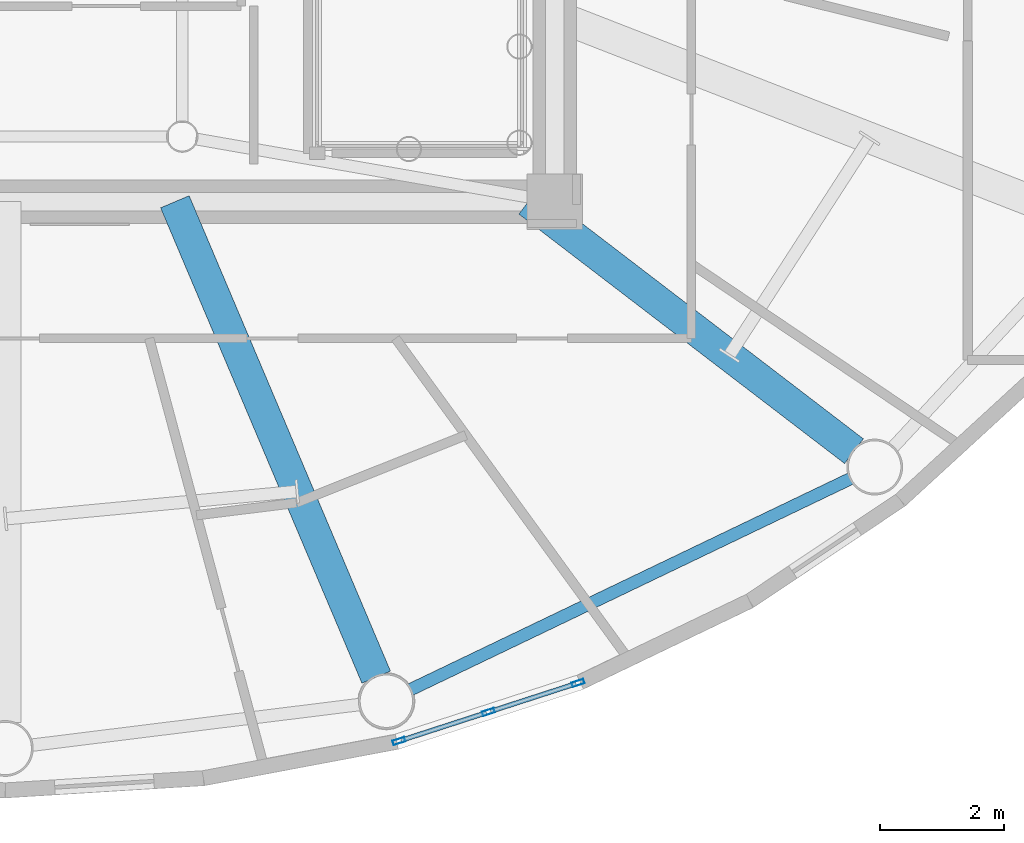
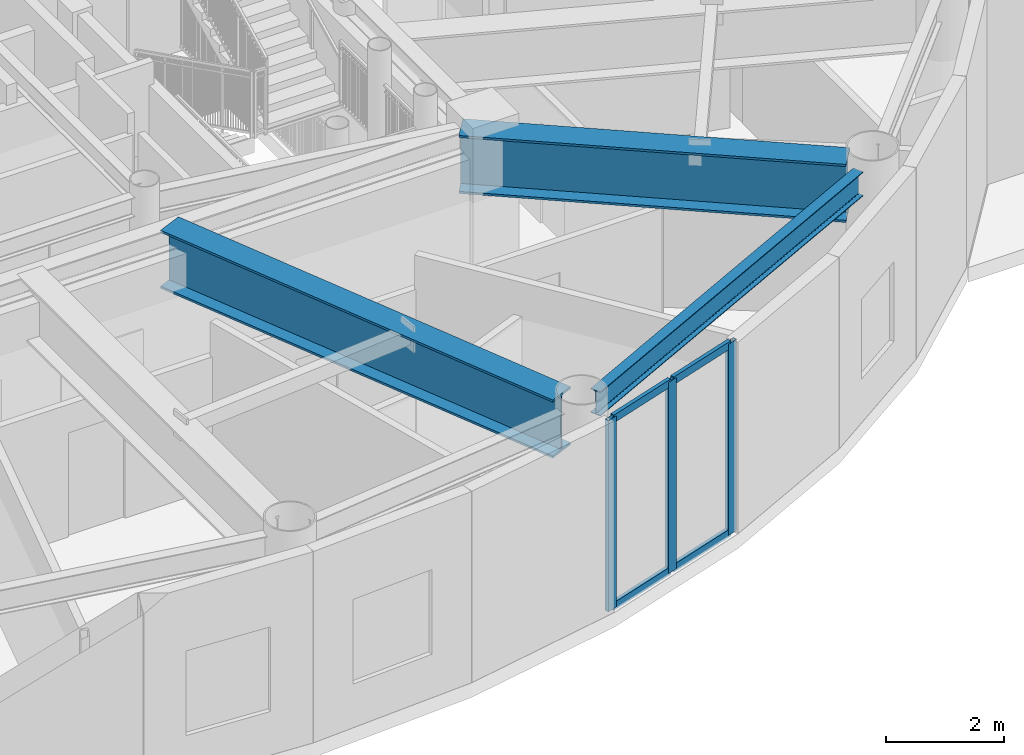
# One storey, part 6 of 26: 7 members, 3 beams, 1 element without a shape of its own.
"""IFC4 building model written with IfcOpenShell, lengths in metres."""

from ifc_helpers import new_model, si_unit, direction, frame, origin, origin_2d, place, context, subcontext, project, spatial, hollow_rectangle, i_section, extrude, source, transform, mapped, material, layer, layer_set, material_profile, profile_set, type_object, element, aggregate, save


model = new_model("IFC4")

# Units and contexts
model_context = context("Model", 3, precision=1e-05, world=origin(), true_north=direction((0.0, 1.0)))
body_context = subcontext(model_context, "Body", "Model", "MODEL_VIEW")
ifc_project = project(units=[si_unit("LENGTHUNIT", "METRE"), si_unit("AREAUNIT", "SQUARE_METRE"), si_unit("VOLUMEUNIT", "CUBIC_METRE"), si_unit("PLANEANGLEUNIT", "RADIAN"), si_unit("MASSUNIT", "GRAM", prefix="KILO")], contexts=[model_context])

# Site, building, storey
site_placement = place(None, origin())
site = spatial("IfcSite", under=ifc_project, at=site_placement, CompositionType="ELEMENT")
building_placement = place(site_placement, origin())
building = spatial("IfcBuilding", under=site, at=building_placement, Name="Linh Dai School and Residence Tower", CompositionType="ELEMENT")
storey_placement = place(building_placement, frame((0.0, 0.0, 351.0)))
storey = spatial("IfcBuildingStorey", under=building, at=storey_placement, Name="L87", CompositionType="ELEMENT", Elevation=351.0)

# Beams
ifc_material_1 = material(Name="Structural Steel S355JR", Category="steel")
ifc_material_profile_1 = material_profile(ifc_material_1, i_section(OverallWidth=0.199951171875, OverallDepth=0.5, WebThickness=0.01025390625, FlangeThickness=0.01611328125, FilletRadius=0.02099609375, at=origin_2d()), Name="IPE 500")
ifc_profile_set_1 = profile_set([ifc_material_profile_1], Name="Structural Steel S355JR")
beam_type_1 = type_object("IfcBeamType", Name="BM-RB50", PredefinedType="BEAM", material=ifc_profile_set_1)
beam_1_placement = place(storey_placement, frame((42.516357421875, 12.687744140625, 3.699951171875), z_axis=(0.901701330417, 0.432359469335, 0.0), x_axis=(-0.432359469335, 0.901701330417, 0.0)))
element("IfcBeam", 1, at=beam_1_placement, inside=storey, type_object=beam_type_1, Name="L87 Perimeter Elliptical Ring Beam 14", PredefinedType="BEAM", context=body_context, shape_type="SweptSolid", body=[
    extrude(i_section(OverallWidth=0.199951171875, OverallDepth=0.5, WebThickness=0.01025390625, FlangeThickness=0.01611328125, FilletRadius=0.02099609375, at=origin_2d()), origin(), (0.0, 0.0, 1.0), 7.88232421875),
])
ifc_material_profile_2 = material_profile(ifc_material_1, i_section(OverallWidth=0.5, OverallDepth=1.199951171875, WebThickness=0.02392578125, FlangeThickness=0.044921875, at=origin_2d()), Name="PG 1200x500x24x45")
ifc_profile_set_2 = profile_set([ifc_material_profile_2], Name="Structural Steel S355JR")
beam_type_2 = type_object("IfcBeamType", Name="BM-TG12", PredefinedType="BEAM", material=ifc_profile_set_2)
beam_2_placement = place(storey_placement, frame((38.731201171875, 20.550048828125, 3.35009765625), z_axis=(0.389954119501, -0.920834287309, 0.0), x_axis=(0.920834287309, 0.389954119501, 0.0)))
element("IfcBeam", 2, at=beam_2_placement, inside=storey, type_object=beam_type_2, Name="L87 Primary Radial Floor Girder 14", PredefinedType="BEAM", context=body_context, shape_type="SweptSolid", body=[
    extrude(i_section(OverallWidth=0.5, OverallDepth=1.199951171875, WebThickness=0.02392578125, FlangeThickness=0.044921875, at=origin_2d()), origin(), (0.0, 0.0, 1.0), 8.3154296875),
])
beam_3_placement = place(storey_placement, frame((44.4228515625, 20.550048828125, 3.35009765625), z_axis=(0.793929753809, -0.608009495006, 0.0), x_axis=(0.608009495006, 0.793929753809, 0.0)))
element("IfcBeam", 3, at=beam_3_placement, inside=storey, type_object=beam_type_2, Name="L87 Primary Radial Floor Girder 15", PredefinedType="BEAM", context=body_context, shape_type="SweptSolid", body=[
    extrude(i_section(OverallWidth=0.5, OverallDepth=1.199951171875, WebThickness=0.02392578125, FlangeThickness=0.044921875, at=origin_2d()), origin(), (0.0, 0.0, 1.0), 6.607666015625),
])

# Curtain wall, members
ifc_material_2 = material(Name="Aluminium Anodised Curtain Wall", Category="aluminium")
ifc_layer = layer(ifc_material_2, 0.199951171875)
ifc_layer_set = layer_set([ifc_layer], Name="Aluminium Anodised Curtain Wall")
curtain_wall_type = type_object("IfcCurtainWallType", Name="CW-SYS-6", PredefinedType="USERDEFINED", material=ifc_layer_set)
curtain_wall_placement = place(storey_placement, origin())
curtain_wall = element("IfcCurtainWall", 4, at=curtain_wall_placement, inside=storey, type_object=curtain_wall_type, Name="L87 CW6 Curtain Wall 33", ObjectType="UNITISED CURTAIN WALL", PredefinedType="USERDEFINED")
ifc_material_3 = material(Name="Aluminium Alloy 6063-T6", Category="aluminium")
ifc_material_profile_3 = material_profile(ifc_material_3, hollow_rectangle(XDim=0.074951171875, YDim=0.159912109375, WallThickness=0.00390625, at=origin_2d()), Name="RHS 160x75x4")
ifc_profile_set_3 = profile_set([ifc_material_profile_3], Name="Aluminium Alloy 6063-T6")
member_type_1 = type_object("IfcMemberType", Name="CW-SYS-6-TRN", PredefinedType="USERDEFINED", material=ifc_profile_set_3)
shared_shape_1 = source(origin(), body_context, "Body", "SweptSolid", [
    extrude(hollow_rectangle(XDim=0.074951171875, YDim=0.159912109375, WallThickness=0.00390625, at=origin_2d()), origin(), (0.0, 0.0, 1.0), 1.441650390625),
])
member_1_placement = place(storey_placement, frame((45.189208984375, 12.787841796875, 0.03759765625), z_axis=(-0.951209386872, -0.308546110536, 0.0), x_axis=(0.308546110536, -0.951209386872, 0.0)))
member_1 = element("IfcMember", 5, at=member_1_placement, type_object=member_type_1, Name="CW6 transom 1.1", ObjectType="TRANSOM", PredefinedType="USERDEFINED", context=body_context, shape_type="MappedRepresentation", body=[
    mapped(shared_shape_1, transform((0.0, 0.0, 0.0), x_axis=(1.0, 0.0, 0.0), y_axis=(0.0, 1.0, 0.0), z_axis=(0.0, 0.0, 1.0), scale=1.0)),
])
member_2_placement = place(storey_placement, frame((45.189208984375, 12.787841796875, 3.91259765625), z_axis=(-0.951209386872, -0.308546110536, 0.0), x_axis=(0.308546110536, -0.951209386872, 0.0)))
member_2 = element("IfcMember", 6, at=member_2_placement, type_object=member_type_1, Name="CW6 transom 1.2", ObjectType="TRANSOM", PredefinedType="USERDEFINED", context=body_context, shape_type="MappedRepresentation", body=[
    mapped(shared_shape_1, transform((0.0, 0.0, 0.0), x_axis=(1.0, 0.0, 0.0), y_axis=(0.0, 1.0, 0.0), z_axis=(0.0, 0.0, 1.0), scale=1.0)),
])
member_3_placement = place(storey_placement, frame((43.74658203125, 12.31982421875, 0.03759765625), z_axis=(-0.951209386872, -0.308546110536, 0.0), x_axis=(0.308546110536, -0.951209386872, 0.0)))
member_3 = element("IfcMember", 7, at=member_3_placement, type_object=member_type_1, Name="CW6 transom 2.1", ObjectType="TRANSOM", PredefinedType="USERDEFINED", context=body_context, shape_type="MappedRepresentation", body=[
    mapped(shared_shape_1, transform((0.0, 0.0, 0.0), x_axis=(1.0, 0.0, 0.0), y_axis=(0.0, 1.0, 0.0), z_axis=(0.0, 0.0, 1.0), scale=1.0)),
])
member_4_placement = place(storey_placement, frame((43.74658203125, 12.31982421875, 3.91259765625), z_axis=(-0.951209386872, -0.308546110536, 0.0), x_axis=(0.308546110536, -0.951209386872, 0.0)))
member_4 = element("IfcMember", 8, at=member_4_placement, type_object=member_type_1, Name="CW6 transom 2.2", ObjectType="TRANSOM", PredefinedType="USERDEFINED", context=body_context, shape_type="MappedRepresentation", body=[
    mapped(shared_shape_1, transform((0.0, 0.0, 0.0), x_axis=(1.0, 0.0, 0.0), y_axis=(0.0, 1.0, 0.0), z_axis=(0.0, 0.0, 1.0), scale=1.0)),
])
ifc_material_profile_4 = material_profile(ifc_material_3, hollow_rectangle(XDim=0.074951171875, YDim=0.199951171875, WallThickness=0.00390625, at=origin_2d()), Name="RHS 200x75x4")
ifc_profile_set_4 = profile_set([ifc_material_profile_4], Name="Aluminium Alloy 6063-T6")
member_type_2 = type_object("IfcMemberType", Name="CW-SYS-6-MUL", PredefinedType="MULLION", material=ifc_profile_set_4)
shared_shape_2 = source(origin(), body_context, "Body", "SweptSolid", [
    extrude(hollow_rectangle(XDim=0.074951171875, YDim=0.199951171875, WallThickness=0.00390625, at=origin_2d()), origin(), (0.0, 0.0, 1.0), 3.949951171875),
])
member_5_placement = place(storey_placement, frame((45.224853515625, 12.79931640625, 0.0), z_axis=(0.0, 0.0, 1.0), x_axis=(0.30856528097, -0.951203168298, 0.0)))
member_5 = element("IfcMember", 9, at=member_5_placement, type_object=member_type_2, Name="CW6 mullion 1", PredefinedType="MULLION", context=body_context, shape_type="MappedRepresentation", body=[
    mapped(shared_shape_2, transform((0.0, 0.0, 0.0), x_axis=(1.0, 0.0, 0.0), y_axis=(0.0, 1.0, 0.0), z_axis=(0.0, 0.0, 1.0), scale=1.0)),
])
member_6_placement = place(storey_placement, frame((43.7822265625, 12.33154296875, 0.0), z_axis=(0.0, 0.0, 1.0), x_axis=(0.30856528097, -0.951203168298, 0.0)))
member_6 = element("IfcMember", 10, at=member_6_placement, type_object=member_type_2, Name="CW6 mullion 2", PredefinedType="MULLION", context=body_context, shape_type="MappedRepresentation", body=[
    mapped(shared_shape_2, transform((0.0, 0.0, 0.0), x_axis=(1.0, 0.0, 0.0), y_axis=(0.0, 1.0, 0.0), z_axis=(0.0, 0.0, 1.0), scale=1.0)),
])
member_7_placement = place(storey_placement, frame((42.339599609375, 11.863525390625, 0.0), z_axis=(0.0, 0.0, 1.0), x_axis=(0.30856528097, -0.951203168298, 0.0)))
member_7 = element("IfcMember", 11, at=member_7_placement, type_object=member_type_2, Name="CW6 mullion 3", PredefinedType="MULLION", context=body_context, shape_type="MappedRepresentation", body=[
    mapped(shared_shape_2, transform((0.0, 0.0, 0.0), x_axis=(1.0, 0.0, 0.0), y_axis=(0.0, 1.0, 0.0), z_axis=(0.0, 0.0, 1.0), scale=1.0)),
])
aggregate(curtain_wall, [member_5, member_6, member_7, member_1, member_2, member_3, member_4])

save(model, "model.ifc")
